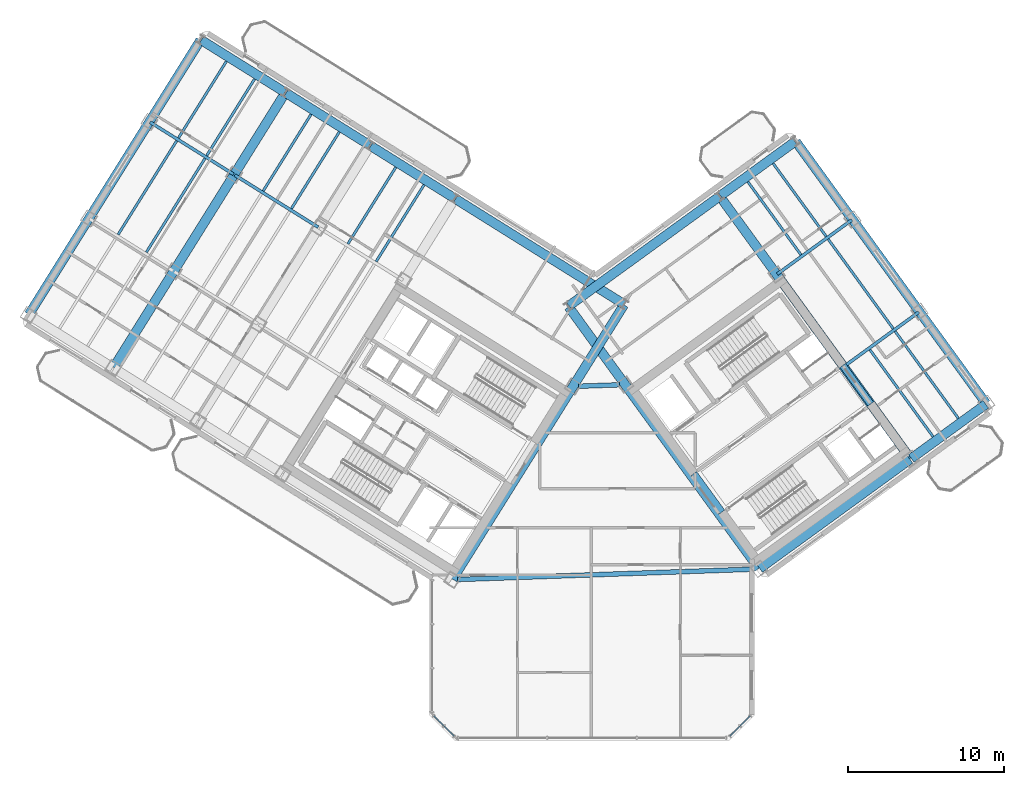
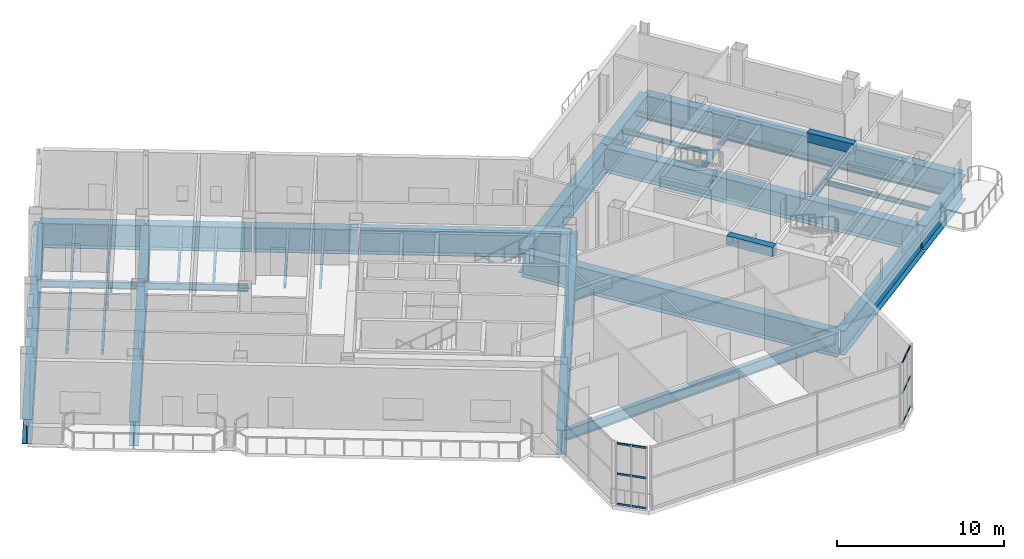
# One storey, part 8 of 21: 35 beams, 12 members, 2 elements without a shape of their own.
"""IFC4 building model written with IfcOpenShell, lengths in metres."""

from ifc_helpers import new_model, si_unit, direction, frame, origin, origin_2d, place, context, subcontext, project, spatial, rectangle, hollow_rectangle, i_section, extrude, source, transform, mapped, material, material_profile, profile_set, type_object, element, aggregate, save


model = new_model("IFC4")

# Units and contexts
model_context = context("Model", 3, precision=1e-05, world=origin(), true_north=direction((0.0, 1.0)))
body_context = subcontext(model_context, "Body", "Model", "MODEL_VIEW")
ifc_project = project(units=[si_unit("LENGTHUNIT", "METRE"), si_unit("AREAUNIT", "SQUARE_METRE"), si_unit("VOLUMEUNIT", "CUBIC_METRE"), si_unit("PLANEANGLEUNIT", "RADIAN"), si_unit("MASSUNIT", "GRAM", prefix="KILO")], contexts=[model_context])

# Site, building, storey
site_placement = place(None, origin())
site = spatial("IfcSite", under=ifc_project, at=site_placement, CompositionType="ELEMENT")
building_placement = place(site_placement, origin())
building = spatial("IfcBuilding", under=site, at=building_placement, Name="Tlacorven Tower", CompositionType="ELEMENT")
storey_placement = place(building_placement, frame((0.0, 0.0, 179.39990234375)))
storey = spatial("IfcBuildingStorey", under=building, at=storey_placement, Name="L45", CompositionType="ELEMENT", Elevation=179.39990234375)

# Beams
ifc_material_1 = material(Name="Concrete C60/75", Category="concrete")
ifc_material_profile_1 = material_profile(ifc_material_1, rectangle(XDim=0.449951171875, YDim=0.699951171875, at=origin_2d()), Name="RC 450X700")
ifc_profile_set_1 = profile_set([ifc_material_profile_1], Name="Concrete C60/75")
beam_type_1 = type_object("IfcBeamType", Name="BM-LNT-700", PredefinedType="LINTEL", material=ifc_profile_set_1)
shared_shape_1 = source(origin(), body_context, "Body", "SweptSolid", [
    extrude(rectangle(XDim=0.449951171875, YDim=0.699951171875, at=origin_2d()), origin(), (0.0, 0.0, 1.0), 3.050048828125),
])
for number, where, z_axis, x_axis, name in (
    (1, (50.318359375, 16.416015625, 4.2001953125), (-0.587776590479, 0.80902328748, 0.0), (-0.80902328748, -0.587776590479, 0.0), "L45 E core coupling lintel beam E1"),
    (2, (59.856689453125, 23.345947265625, 4.2001953125), (-0.587776590479, 0.80902328748, 0.0), (-0.80902328748, -0.587776590479, 0.0), "L45 E core coupling lintel beam E2"),
):
    element("IfcBeam", number, at=place(storey_placement, frame(where, z_axis=z_axis, x_axis=x_axis)), inside=storey, type_object=beam_type_1, Name=name, PredefinedType="LINTEL", context=body_context, shape_type="MappedRepresentation", body=[
        mapped(shared_shape_1, transform((0.0, 0.0, 0.0), scale=1.0)),
    ])
ifc_material_2 = material(Name="Steel S355J2", Category="steel")
ifc_material_profile_2 = material_profile(ifc_material_2, i_section(OverallWidth=0.300048828125, OverallDepth=0.800048828125, WebThickness=0.017578125, FlangeThickness=0.032958984375, at=origin_2d()), Name="HEB 800")
ifc_profile_set_2 = profile_set([ifc_material_profile_2], Name="Steel S355J2")
beam_type_2 = type_object("IfcBeamType", Name="BM-POD-800", PredefinedType="BEAM", material=ifc_profile_set_2)
shared_shape_2 = source(origin(), body_context, "Body", "SweptSolid", [
    extrude(i_section(OverallWidth=0.300048828125, OverallDepth=0.800048828125, WebThickness=0.017578125, FlangeThickness=0.032958984375, at=origin_2d()), origin(), (0.0, 0.0, 1.0), 2.642822265625),
])
beam_1_placement = place(storey_placement, frame((41.1328125, 24.480712890625, -0.679931640625), z_axis=(0.999393314814, 0.034828182629, 0.0), x_axis=(-0.034828182629, 0.999393314814, 0.0)))
element("IfcBeam", 3, at=beam_1_placement, inside=storey, type_object=beam_type_2, Name="L45 Knuckle Link Girder 1", PredefinedType="BEAM", context=body_context, shape_type="MappedRepresentation", body=[
    mapped(shared_shape_2, transform((0.0, 0.0, 0.0), scale=1.0)),
])
ifc_material_3 = material(Name="Steel S460M", Category="steel")
ifc_material_profile_3 = material_profile(ifc_material_3, i_section(OverallWidth=0.60009765625, OverallDepth=1.800048828125, WebThickness=0.028076171875, FlangeThickness=0.0400390625, at=origin_2d()), Name="PG 1800X600X28X40")
ifc_profile_set_3 = profile_set([ifc_material_profile_3], Name="Steel S460M")
beam_type_3 = type_object("IfcBeamType", Name="BM-TRG-1800", PredefinedType="USERDEFINED", material=ifc_profile_set_3)
shared_shape_3 = source(origin(), body_context, "Body", "SweptSolid", [
    extrude(i_section(OverallWidth=0.60009765625, OverallDepth=1.800048828125, WebThickness=0.028076171875, FlangeThickness=0.0400390625, at=origin_2d()), origin(), (0.0, 0.0, 1.0), 20.72021484375),
])
for number, where, z_axis, x_axis, name in (
    (4, (16.90966796875, 46.64990234375, -1.179931640625), (-0.529916326015, -0.848049932152, 0.0), (0.848049932152, -0.529916326015, 0.0), "L45 beam BM-L45-WT6-1"),
    (5, (52.681884765625, 12.8056640625, -1.179931640625), (-0.587784199495, 0.809017759276, 0.0), (-0.809017759276, -0.587784199495, 0.0), "L45 beam BM-L45-ET1-1"),
    (6, (62.39013671875, 19.859130859375, -1.179931640625), (-0.587784199495, 0.809017759276, 0.0), (-0.809017759276, -0.587784199495, 0.0), "L45 beam BM-L45-ET3-1"),
):
    element("IfcBeam", number, at=place(storey_placement, frame(where, z_axis=z_axis, x_axis=x_axis)), inside=storey, type_object=beam_type_3, Name=name, ObjectType="TRANSFER GIRDER", PredefinedType="USERDEFINED", context=body_context, shape_type="MappedRepresentation", body=[
        mapped(shared_shape_3, transform((0.0, 0.0, 0.0), scale=1.0)),
    ])
shared_shape_4 = source(origin(), body_context, "Body", "SweptSolid", [
    extrude(i_section(OverallWidth=0.60009765625, OverallDepth=1.800048828125, WebThickness=0.028076171875, FlangeThickness=0.0400390625, at=origin_2d()), origin(), (0.0, 0.0, 1.0), 20.719970703125),
])
for number, where, z_axis, x_axis, name in (
    (7, (44.04736328125, 29.6923828125, -1.179931640625), (-0.529921621162, -0.84804662338, 0.0), (0.84804662338, -0.529921621162, 0.0), "L45 beam BM-L45-WT1-1"),
    (8, (22.337158203125, 43.25830078125, -1.179931640625), (-0.52991314706, -0.84805191856, 0.0), (0.84805191856, -0.52991314706, 0.0), "L45 beam BM-L45-WT5-1"),
    (9, (67.244140625, 23.385986328125, -1.179931640625), (-0.587789802576, 0.809013688381, 0.0), (-0.809013688381, -0.587789802576, 0.0), "L45 beam BM-L45-ET4-1"),
):
    element("IfcBeam", number, at=place(storey_placement, frame(where, z_axis=z_axis, x_axis=x_axis)), inside=storey, type_object=beam_type_3, Name=name, ObjectType="TRANSFER GIRDER", PredefinedType="USERDEFINED", context=body_context, shape_type="MappedRepresentation", body=[
        mapped(shared_shape_4, transform((0.0, 0.0, 0.0), scale=1.0)),
    ])
shared_shape_5 = source(origin(), body_context, "Body", "SweptSolid", [
    extrude(i_section(OverallWidth=0.60009765625, OverallDepth=1.800048828125, WebThickness=0.028076171875, FlangeThickness=0.0400390625, at=origin_2d()), origin(), (0.0, 0.0, 1.0), 12.699951171875),
])
beam_2_placement = place(storey_placement, frame((44.026123046875, 29.752685546875, -1.179931640625), z_axis=(-0.848049059057, 0.529917723268, 0.0), x_axis=(-0.529917723268, -0.848049059057, 0.0)))
element("IfcBeam", 10, at=beam_2_placement, inside=storey, type_object=beam_type_3, Name="L45 beam BM-L45-WL1-1", ObjectType="TRANSFER GIRDER", PredefinedType="USERDEFINED", context=body_context, shape_type="MappedRepresentation", body=[
    mapped(shared_shape_5, transform((0.0, 0.0, 0.0), scale=1.0)),
])
shared_shape_6 = source(origin(), body_context, "Body", "SweptSolid", [
    extrude(i_section(OverallWidth=0.60009765625, OverallDepth=1.800048828125, WebThickness=0.028076171875, FlangeThickness=0.0400390625, at=origin_2d()), origin(), (0.0, 0.0, 1.0), 6.300048828125),
])
for number, where, z_axis, x_axis, name in (
    (11, (33.171142578125, 36.53564453125, -1.179931640625), (-0.848041842361, 0.529929272267, 0.0), (-0.529929272267, -0.848041842361, 0.0), "L45 beam BM-L45-WL1-3"),
    (12, (27.74365234375, 39.92724609375, -1.179931640625), (-0.848059257352, 0.529901402168, 0.0), (-0.529901402168, -0.848059257352, 0.0), "L45 beam BM-L45-WL1-4"),
):
    element("IfcBeam", number, at=place(storey_placement, frame(where, z_axis=z_axis, x_axis=x_axis)), inside=storey, type_object=beam_type_3, Name=name, ObjectType="TRANSFER GIRDER", PredefinedType="USERDEFINED", context=body_context, shape_type="MappedRepresentation", body=[
        mapped(shared_shape_6, transform((0.0, 0.0, 0.0), scale=1.0)),
    ])
shared_shape_7 = source(origin(), body_context, "Body", "SweptSolid", [
    extrude(i_section(OverallWidth=0.60009765625, OverallDepth=1.800048828125, WebThickness=0.028076171875, FlangeThickness=0.0400390625, at=origin_2d()), origin(), (0.0, 0.0, 1.0), 6.2998046875),
])
beam_3_placement = place(storey_placement, frame((22.31591796875, 43.318603515625, -1.179931640625), z_axis=(-0.848030959382, 0.529946687819, 0.0), x_axis=(-0.529946687819, -0.848030959382, 0.0)))
element("IfcBeam", 13, at=beam_3_placement, inside=storey, type_object=beam_type_3, Name="L45 beam BM-L45-WL1-5", ObjectType="TRANSFER GIRDER", PredefinedType="USERDEFINED", context=body_context, shape_type="MappedRepresentation", body=[
    mapped(shared_shape_7, transform((0.0, 0.0, 0.0), scale=1.0)),
])
shared_shape_8 = source(origin(), body_context, "Body", "SweptSolid", [
    extrude(i_section(OverallWidth=0.60009765625, OverallDepth=1.800048828125, WebThickness=0.028076171875, FlangeThickness=0.0400390625, at=origin_2d()), origin(), (0.0, 0.0, 1.0), 11.89990234375),
])
for number, where, z_axis, x_axis, name in (
    (14, (52.745849609375, 12.802734375, -1.179931640625), (0.809014570063, 0.587788589057, 0.0), (-0.587788589057, 0.809014570063, 0.0), "L45 beam BM-L45-EL1-1"),
    (15, (40.52001953125, 29.63037109375, -1.179931640625), (0.809014570063, 0.587788589057, 0.0), (-0.587788589057, 0.809014570063, 0.0), "L45 beam BM-L45-EL4-1"),
):
    element("IfcBeam", number, at=place(storey_placement, frame(where, z_axis=z_axis, x_axis=x_axis)), inside=storey, type_object=beam_type_3, Name=name, ObjectType="TRANSFER GIRDER", PredefinedType="USERDEFINED", context=body_context, shape_type="MappedRepresentation", body=[
        mapped(shared_shape_8, transform((0.0, 0.0, 0.0), scale=1.0)),
    ])
shared_shape_9 = source(origin(), body_context, "Body", "SweptSolid", [
    extrude(i_section(OverallWidth=0.60009765625, OverallDepth=1.800048828125, WebThickness=0.028076171875, FlangeThickness=0.0400390625, at=origin_2d()), origin(), (0.0, 0.0, 1.0), 5.900146484375),
])
beam_4_placement = place(storey_placement, frame((62.4541015625, 19.856201171875, -1.179931640625), z_axis=(0.80900977213, 0.587795192732, 0.0), x_axis=(-0.587795192732, 0.80900977213, 0.0)))
element("IfcBeam", 16, at=beam_4_placement, inside=storey, type_object=beam_type_3, Name="L45 beam BM-L45-EL1-3", ObjectType="TRANSFER GIRDER", PredefinedType="USERDEFINED", context=body_context, shape_type="MappedRepresentation", body=[
    mapped(shared_shape_9, transform((0.0, 0.0, 0.0), scale=1.0)),
])
shared_shape_10 = source(origin(), body_context, "Body", "SweptSolid", [
    extrude(i_section(OverallWidth=0.60009765625, OverallDepth=1.800048828125, WebThickness=0.028076171875, FlangeThickness=0.0400390625, at=origin_2d()), origin(), (0.0, 0.0, 1.0), 5.89990234375),
])
beam_5_placement = place(storey_placement, frame((50.22802734375, 36.683837890625, -1.179931640625), z_axis=(0.809029449413, 0.587768109021, 0.0), x_axis=(-0.587768109021, 0.809029449413, 0.0)))
element("IfcBeam", 17, at=beam_5_placement, inside=storey, type_object=beam_type_3, Name="L45 beam BM-L45-EL4-3", ObjectType="TRANSFER GIRDER", PredefinedType="USERDEFINED", context=body_context, shape_type="MappedRepresentation", body=[
    mapped(shared_shape_10, transform((0.0, 0.0, 0.0), scale=1.0)),
])
shared_shape_11 = source(origin(), body_context, "Body", "SweptSolid", [
    extrude(i_section(OverallWidth=0.300048828125, OverallDepth=0.800048828125, WebThickness=0.017578125, FlangeThickness=0.032958984375, at=origin_2d()), origin(), (0.0, 0.0, 1.0), 18.97119140625),
])
beam_6_placement = place(storey_placement, frame((33.39599609375, 12.09912109375, -0.679931640625), z_axis=(0.999390787537, 0.034900627304, 0.0), x_axis=(-0.034900627304, 0.999390787537, 0.0)))
element("IfcBeam", 18, at=beam_6_placement, inside=storey, type_object=beam_type_2, Name="L45 Knuckle Link Girder 2", PredefinedType="BEAM", context=body_context, shape_type="MappedRepresentation", body=[
    mapped(shared_shape_11, transform((0.0, 0.0, 0.0), scale=1.0)),
])
ifc_material_profile_4 = material_profile(ifc_material_2, i_section(OverallWidth=0.159912109375, OverallDepth=0.330078125, WebThickness=0.007568359375, FlangeThickness=0.011474609375, at=origin_2d()), Name="IPE 330")
ifc_profile_set_4 = profile_set([ifc_material_profile_4], Name="Steel S355J2")
beam_type_4 = type_object("IfcBeamType", Name="BM-JST-330", PredefinedType="JOIST", material=ifc_profile_set_4)
shared_shape_12 = source(origin(), body_context, "Body", "SweptSolid", [
    extrude(i_section(OverallWidth=0.159912109375, OverallDepth=0.330078125, WebThickness=0.007568359375, FlangeThickness=0.011474609375, at=origin_2d()), origin(), (0.0, 0.0, 1.0), 7.090087890625),
])
for number, where, z_axis, x_axis, name in (
    (19, (17.208251953125, 39.07568359375, -0.44482421875), (-0.529937035031, -0.848036991471, 0.0), (0.848036991471, -0.529937035031, 0.0), "L45 beam BM-L45-WJ5-2-1"),
    (20, (15.39892578125, 40.206298828125, -0.44482421875), (-0.529912270669, -0.84805246618, 0.0), (0.84805246618, -0.529912270669, 0.0), "L45 beam BM-L45-WJ5-2-2"),
    (21, (61.297119140625, 28.168701171875, -0.44482421875), (-0.587782622309, 0.809018905164, 0.0), (-0.809018905164, -0.587782622309, 0.0), "L45 beam BM-L45-EJ3-2-2"),
):
    element("IfcBeam", number, at=place(storey_placement, frame(where, z_axis=z_axis, x_axis=x_axis)), inside=storey, type_object=beam_type_4, Name=name, PredefinedType="JOIST", context=body_context, shape_type="MappedRepresentation", body=[
        mapped(shared_shape_12, transform((0.0, 0.0, 0.0), scale=1.0)),
    ])
ifc_material_profile_5 = material_profile(ifc_material_2, i_section(OverallWidth=0.199951171875, OverallDepth=0.5, WebThickness=0.01025390625, FlangeThickness=0.01611328125, at=origin_2d()), Name="IPE 500")
ifc_profile_set_5 = profile_set([ifc_material_profile_5], Name="Steel S355J2")
beam_type_5 = type_object("IfcBeamType", Name="BM-TWR-500", PredefinedType="BEAM", material=ifc_profile_set_5)
shared_shape_13 = source(origin(), body_context, "Body", "SweptSolid", [
    extrude(i_section(OverallWidth=0.199951171875, OverallDepth=0.5, WebThickness=0.01025390625, FlangeThickness=0.01611328125, at=origin_2d()), origin(), (0.0, 0.0, 1.0), 6.300048828125),
])
for number, where, z_axis, x_axis, name in (
    (22, (24.4580078125, 34.66943359375, -0.52978515625), (-0.848059257352, 0.529901402168, 0.0), (-0.529901402168, -0.848059257352, 0.0), "L45 beam BM-L45-WL2-4"),
    (23, (19.030517578125, 38.060791015625, -0.52978515625), (-0.848041842361, 0.529929272267, 0.0), (-0.529929272267, -0.848041842361, 0.0), "L45 beam BM-L45-WL2-5"),
):
    element("IfcBeam", number, at=place(storey_placement, frame(where, z_axis=z_axis, x_axis=x_axis)), inside=storey, type_object=beam_type_5, Name=name, PredefinedType="BEAM", context=body_context, shape_type="MappedRepresentation", body=[
        mapped(shared_shape_13, transform((0.0, 0.0, 0.0), scale=1.0)),
    ])
shared_shape_14 = source(origin(), body_context, "Body", "SweptSolid", [
    extrude(i_section(OverallWidth=0.159912109375, OverallDepth=0.330078125, WebThickness=0.007568359375, FlangeThickness=0.011474609375, at=origin_2d()), origin(), (0.0, 0.0, 1.0), 5.789794921875),
])
for number, where, z_axis, x_axis, name in (
    (24, (31.24267578125, 37.381103515625, -0.44482421875), (-0.529907970752, -0.848055153002, 0.0), (0.848055153002, -0.529907970752, 0.0), "L45 beam BM-L45-WJ3-1-1"),
    (25, (24.005859375, 41.903076171875, -0.44482421875), (-0.529907970752, -0.848055153002, 0.0), (0.848055153002, -0.529907970752, 0.0), "L45 beam BM-L45-WJ4-1-2"),
):
    element("IfcBeam", number, at=place(storey_placement, frame(where, z_axis=z_axis, x_axis=x_axis)), inside=storey, type_object=beam_type_4, Name=name, PredefinedType="JOIST", context=body_context, shape_type="MappedRepresentation", body=[
        mapped(shared_shape_14, transform((0.0, 0.0, 0.0), scale=1.0)),
    ])
shared_shape_15 = source(origin(), body_context, "Body", "SweptSolid", [
    extrude(i_section(OverallWidth=0.159912109375, OverallDepth=0.330078125, WebThickness=0.007568359375, FlangeThickness=0.011474609375, at=origin_2d()), origin(), (0.0, 0.0, 1.0), 5.7900390625),
])
for number, where, z_axis, x_axis, name in (
    (26, (29.433349609375, 38.51171875, -0.44482421875), (-0.529889021988, -0.848066992859, 0.0), (0.848066992859, -0.529889021988, 0.0), "L45 beam BM-L45-WJ3-1-2"),
    (27, (25.815185546875, 40.7724609375, -0.44482421875), (-0.529938295869, -0.848036203574, 0.0), (0.848036203574, -0.529938295869, 0.0), "L45 beam BM-L45-WJ4-1-1"),
    (28, (20.3876953125, 44.1640625, -0.44482421875), (-0.529938295869, -0.848036203574, 0.0), (0.848036203574, -0.529938295869, 0.0), "L45 beam BM-L45-WJ5-1-1"),
    (29, (18.578369140625, 45.294677734375, -0.44482421875), (-0.529889021988, -0.848066992859, 0.0), (0.848066992859, -0.529889021988, 0.0), "L45 beam BM-L45-WJ5-1-2"),
    (30, (55.38818359375, 32.89892578125, -0.44482421875), (-0.587752921121, 0.809040483359, 0.0), (-0.809040483359, -0.587752921121, 0.0), "L45 beam BM-L45-EJ3-3-1"),
    (31, (57.00634765625, 34.074462890625, -0.44482421875), (-0.587780519752, 0.809020432746, 0.0), (-0.809020432746, -0.587780519752, 0.0), "L45 beam BM-L45-EJ3-3-2"),
):
    element("IfcBeam", number, at=place(storey_placement, frame(where, z_axis=z_axis, x_axis=x_axis)), inside=storey, type_object=beam_type_4, Name=name, PredefinedType="JOIST", context=body_context, shape_type="MappedRepresentation", body=[
        mapped(shared_shape_15, transform((0.0, 0.0, 0.0), scale=1.0)),
    ])
shared_shape_16 = source(origin(), body_context, "Body", "SweptSolid", [
    extrude(i_section(OverallWidth=0.159912109375, OverallDepth=0.330078125, WebThickness=0.007568359375, FlangeThickness=0.011474609375, at=origin_2d()), origin(), (0.0, 0.0, 1.0), 6.889892578125),
])
for number, where, z_axis, x_axis, name in (
    (32, (63.852294921875, 21.249267578125, -0.44482421875), (-0.587792384925, 0.809011812166, 0.0), (-0.809011812166, -0.587792384925, 0.0), "L45 beam BM-L45-EJ3-1-1"),
    (33, (65.470458984375, 22.4248046875, -0.44482421875), (-0.587792384925, 0.809011812166, 0.0), (-0.809011812166, -0.587792384925, 0.0), "L45 beam BM-L45-EJ3-1-2"),
):
    element("IfcBeam", number, at=place(storey_placement, frame(where, z_axis=z_axis, x_axis=x_axis)), inside=storey, type_object=beam_type_4, Name=name, PredefinedType="JOIST", context=body_context, shape_type="MappedRepresentation", body=[
        mapped(shared_shape_16, transform((0.0, 0.0, 0.0), scale=1.0)),
    ])
shared_shape_17 = source(origin(), body_context, "Body", "SweptSolid", [
    extrude(i_section(OverallWidth=0.199951171875, OverallDepth=0.5, WebThickness=0.01025390625, FlangeThickness=0.01611328125, at=origin_2d()), origin(), (0.0, 0.0, 1.0), 5.900146484375),
])
beam_7_placement = place(storey_placement, frame((58.163330078125, 25.761962890625, -0.52978515625), z_axis=(0.80900977213, 0.587795192732, 0.0), x_axis=(-0.587795192732, 0.80900977213, 0.0)))
element("IfcBeam", 34, at=beam_7_placement, inside=storey, type_object=beam_type_5, Name="L45 beam BM-L45-EL2-3", PredefinedType="BEAM", context=body_context, shape_type="MappedRepresentation", body=[
    mapped(shared_shape_17, transform((0.0, 0.0, 0.0), scale=1.0)),
])
shared_shape_18 = source(origin(), body_context, "Body", "SweptSolid", [
    extrude(i_section(OverallWidth=0.199951171875, OverallDepth=0.5, WebThickness=0.01025390625, FlangeThickness=0.01611328125, at=origin_2d()), origin(), (0.0, 0.0, 1.0), 5.89990234375),
])
beam_8_placement = place(storey_placement, frame((53.872314453125, 31.66796875, -0.52978515625), z_axis=(0.809029449413, 0.587768109021, 0.0), x_axis=(-0.587768109021, 0.809029449413, 0.0)))
element("IfcBeam", 35, at=beam_8_placement, inside=storey, type_object=beam_type_5, Name="L45 beam BM-L45-EL3-3", PredefinedType="BEAM", context=body_context, shape_type="MappedRepresentation", body=[
    mapped(shared_shape_18, transform((0.0, 0.0, 0.0), scale=1.0)),
])

# Curtain wall, members
ifc_material_4 = material(Name="Dark solar low-E double glazing in aluminium frame", Category="aluminium")
curtain_wall_type = type_object("IfcCurtainWallType", Name="CW-TWR-MID", PredefinedType="USERDEFINED", material=ifc_material_4)
curtain_wall_1_placement = place(storey_placement, origin())
curtain_wall_1 = element("IfcCurtainWall", 36, at=curtain_wall_1_placement, inside=storey, type_object=curtain_wall_type, Name="L45 CW-TWR-MID Curtain Wall 208", ObjectType="UNITISED CURTAIN WALL", PredefinedType="USERDEFINED")
ifc_material_5 = material(Name="Aluminium 6063-T6 anodised", Category="aluminium")
ifc_material_profile_6 = material_profile(ifc_material_5, hollow_rectangle(XDim=0.06005859375, YDim=0.139892578125, WallThickness=0.00390625, at=origin_2d()), Name="ALU TRANSOM 60X140")
ifc_profile_set_6 = profile_set([ifc_material_profile_6], Name="Aluminium 6063-T6 anodised")
member_type = type_object("IfcMemberType", Name="CWT-02", PredefinedType="USERDEFINED", material=ifc_profile_set_6)
shared_shape_19 = source(origin(), body_context, "Body", "SweptSolid", [
    extrude(hollow_rectangle(XDim=0.06005859375, YDim=0.139892578125, WallThickness=0.00390625, at=origin_2d()), origin(), (0.0, 0.0, 1.0), 0.8916015625),
])
member_1_placement = place(storey_placement, frame((52.1318359375, 3.358154296875, 0.070068359375), z_axis=(-0.706969864397, -0.70724367147, 0.0), x_axis=(0.70724367147, -0.706969864397, 0.0)))
member_1 = element("IfcMember", 37, at=member_1_placement, type_object=member_type, Name="CW-L45-208 Transom 1", ObjectType="TRANSOM", PredefinedType="USERDEFINED", context=body_context, shape_type="MappedRepresentation", body=[
    mapped(shared_shape_19, transform((0.0, 0.0, 0.0), scale=1.0)),
])
member_2_placement = place(storey_placement, frame((52.1318359375, 3.358154296875, 2.275146484375), z_axis=(-0.706969864397, -0.70724367147, 0.0), x_axis=(0.70724367147, -0.706969864397, 0.0)))
member_2 = element("IfcMember", 38, at=member_2_placement, type_object=member_type, Name="CW-L45-208 Transom 2", ObjectType="TRANSOM", PredefinedType="USERDEFINED", context=body_context, shape_type="MappedRepresentation", body=[
    mapped(shared_shape_19, transform((0.0, 0.0, 0.0), scale=1.0)),
])
member_3_placement = place(storey_placement, frame((52.1318359375, 3.358154296875, 4.47998046875), z_axis=(-0.706969864397, -0.70724367147, 0.0), x_axis=(0.70724367147, -0.706969864397, 0.0)))
member_3 = element("IfcMember", 39, at=member_3_placement, type_object=member_type, Name="CW-L45-208 Transom 3", ObjectType="TRANSOM", PredefinedType="USERDEFINED", context=body_context, shape_type="MappedRepresentation", body=[
    mapped(shared_shape_19, transform((0.0, 0.0, 0.0), scale=1.0)),
])

curtain_wall_2_placement = place(storey_placement, origin())
curtain_wall_2 = element("IfcCurtainWall", 40, at=curtain_wall_2_placement, inside=storey, type_object=curtain_wall_type, Name="L45 CW-TWR-MID Curtain Wall 210", ObjectType="UNITISED CURTAIN WALL", PredefinedType="USERDEFINED")
member_4_placement = place(storey_placement, frame((32.49853515625, 2.7275390625, 0.070068359375), z_axis=(-0.706969864397, 0.70724367147, 0.0), x_axis=(-0.70724367147, -0.706969864397, 0.0)))
member_4 = element("IfcMember", 41, at=member_4_placement, type_object=member_type, Name="CW-L45-210 Transom 4", ObjectType="TRANSOM", PredefinedType="USERDEFINED", context=body_context, shape_type="MappedRepresentation", body=[
    mapped(shared_shape_19, transform((0.0, 0.0, 0.0), scale=1.0)),
])
member_5_placement = place(storey_placement, frame((32.49853515625, 2.7275390625, 2.275146484375), z_axis=(-0.706969864397, 0.70724367147, 0.0), x_axis=(-0.70724367147, -0.706969864397, 0.0)))
member_5 = element("IfcMember", 42, at=member_5_placement, type_object=member_type, Name="CW-L45-210 Transom 5", ObjectType="TRANSOM", PredefinedType="USERDEFINED", context=body_context, shape_type="MappedRepresentation", body=[
    mapped(shared_shape_19, transform((0.0, 0.0, 0.0), scale=1.0)),
])
member_6_placement = place(storey_placement, frame((32.49853515625, 2.7275390625, 4.47998046875), z_axis=(-0.706969864397, 0.70724367147, 0.0), x_axis=(-0.70724367147, -0.706969864397, 0.0)))
member_6 = element("IfcMember", 43, at=member_6_placement, type_object=member_type, Name="CW-L45-210 Transom 6", ObjectType="TRANSOM", PredefinedType="USERDEFINED", context=body_context, shape_type="MappedRepresentation", body=[
    mapped(shared_shape_19, transform((0.0, 0.0, 0.0), scale=1.0)),
])

# Member
shared_shape_20 = source(origin(), body_context, "Body", "SweptSolid", [
    extrude(hollow_rectangle(XDim=0.06005859375, YDim=0.139892578125, WallThickness=0.00390625, at=origin_2d()), origin(), (0.0, 0.0, 1.0), 0.891845703125),
])
member_7_placement = place(storey_placement, frame((51.472412109375, 2.69873046875, 0.070068359375), z_axis=(-0.707106781187, -0.707106781187, 0.0), x_axis=(0.707106781187, -0.707106781187, 0.0)))
member_7 = element("IfcMember", 44, at=member_7_placement, type_object=member_type, Name="CW-L45-208 Transom 4", ObjectType="TRANSOM", PredefinedType="USERDEFINED", context=body_context, shape_type="MappedRepresentation", body=[
    mapped(shared_shape_20, transform((0.0, 0.0, 0.0), scale=1.0)),
])

member_8_placement = place(storey_placement, frame((51.472412109375, 2.69873046875, 2.275146484375), z_axis=(-0.707106781187, -0.707106781187, 0.0), x_axis=(0.707106781187, -0.707106781187, 0.0)))
member_8 = element("IfcMember", 45, at=member_8_placement, type_object=member_type, Name="CW-L45-208 Transom 5", ObjectType="TRANSOM", PredefinedType="USERDEFINED", context=body_context, shape_type="MappedRepresentation", body=[
    mapped(shared_shape_20, transform((0.0, 0.0, 0.0), scale=1.0)),
])

member_9_placement = place(storey_placement, frame((51.472412109375, 2.69873046875, 4.47998046875), z_axis=(-0.707106781187, -0.707106781187, 0.0), x_axis=(0.707106781187, -0.707106781187, 0.0)))
member_9 = element("IfcMember", 46, at=member_9_placement, type_object=member_type, Name="CW-L45-208 Transom 6", ObjectType="TRANSOM", PredefinedType="USERDEFINED", context=body_context, shape_type="MappedRepresentation", body=[
    mapped(shared_shape_20, transform((0.0, 0.0, 0.0), scale=1.0)),
])

aggregate(curtain_wall_1, [member_1, member_2, member_3, member_7, member_8, member_9])

member_10_placement = place(storey_placement, frame((33.158203125, 2.068115234375, 0.070068359375), z_axis=(-0.707106781187, 0.707106781187, 0.0), x_axis=(-0.707106781187, -0.707106781187, 0.0)))
member_10 = element("IfcMember", 47, at=member_10_placement, type_object=member_type, Name="CW-L45-210 Transom 1", ObjectType="TRANSOM", PredefinedType="USERDEFINED", context=body_context, shape_type="MappedRepresentation", body=[
    mapped(shared_shape_20, transform((0.0, 0.0, 0.0), scale=1.0)),
])

member_11_placement = place(storey_placement, frame((33.158203125, 2.068115234375, 2.275146484375), z_axis=(-0.707106781187, 0.707106781187, 0.0), x_axis=(-0.707106781187, -0.707106781187, 0.0)))
member_11 = element("IfcMember", 48, at=member_11_placement, type_object=member_type, Name="CW-L45-210 Transom 2", ObjectType="TRANSOM", PredefinedType="USERDEFINED", context=body_context, shape_type="MappedRepresentation", body=[
    mapped(shared_shape_20, transform((0.0, 0.0, 0.0), scale=1.0)),
])

member_12_placement = place(storey_placement, frame((33.158203125, 2.068115234375, 4.47998046875), z_axis=(-0.707106781187, 0.707106781187, 0.0), x_axis=(-0.707106781187, -0.707106781187, 0.0)))
member_12 = element("IfcMember", 49, at=member_12_placement, type_object=member_type, Name="CW-L45-210 Transom 3", ObjectType="TRANSOM", PredefinedType="USERDEFINED", context=body_context, shape_type="MappedRepresentation", body=[
    mapped(shared_shape_20, transform((0.0, 0.0, 0.0), scale=1.0)),
])

aggregate(curtain_wall_2, [member_10, member_11, member_12, member_4, member_5, member_6])

save(model, "model.ifc")
